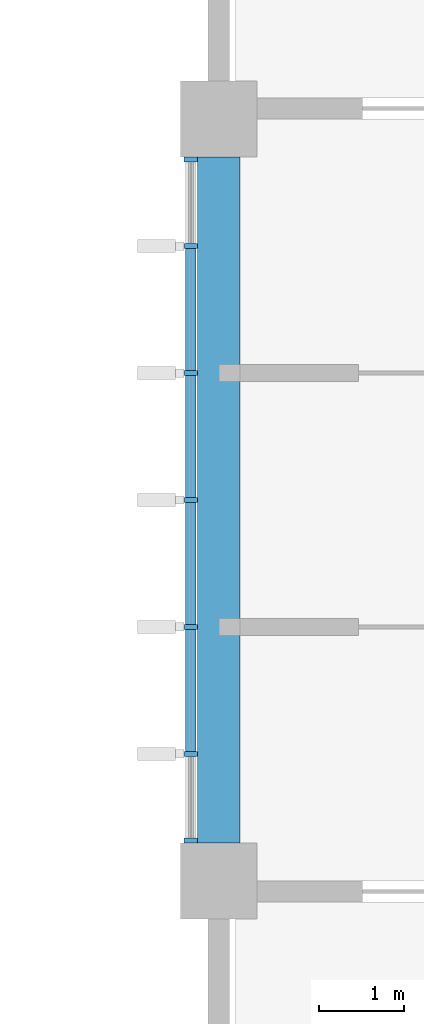
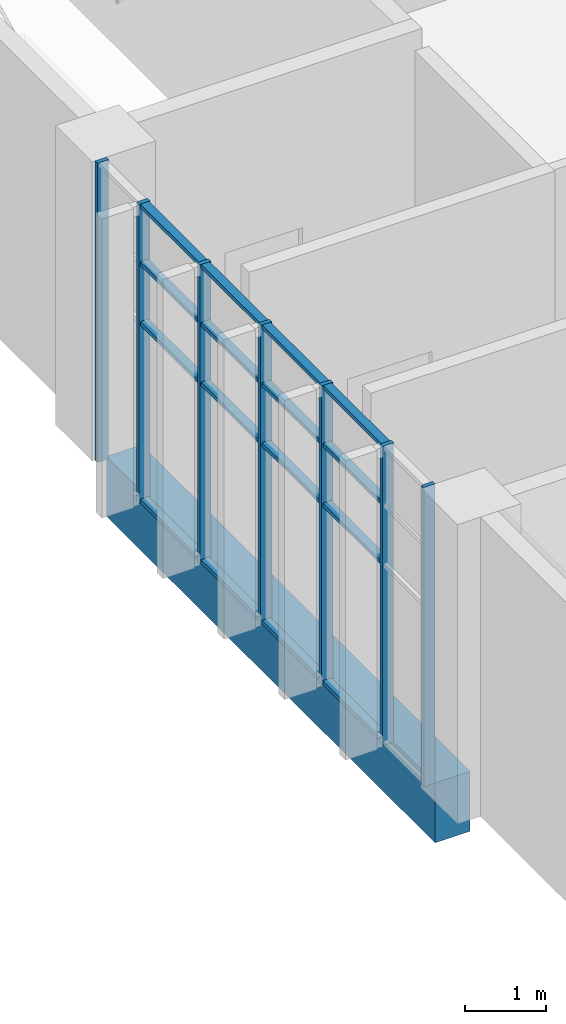
# One storey, part 8 of 45: 23 members, 1 beam, 1 element without a shape of its own.
"""IFC4 building model written with IfcOpenShell, lengths in metres."""

from ifc_helpers import new_model, si_unit, direction, frame, origin, origin_2d, place, context, subcontext, project, spatial, rectangle, extrude, material, layer, layer_set, material_profile, profile_set, type_object, element, aggregate, save


model = new_model("IFC4")

# Units and contexts
model_context = context("Model", 3, precision=1e-05, world=origin(), true_north=direction((0.0, 1.0)))
body_context = subcontext(model_context, "Body", "Model", "MODEL_VIEW")
ifc_project = project(units=[si_unit("LENGTHUNIT", "METRE"), si_unit("AREAUNIT", "SQUARE_METRE"), si_unit("VOLUMEUNIT", "CUBIC_METRE"), si_unit("PLANEANGLEUNIT", "RADIAN"), si_unit("MASSUNIT", "GRAM", prefix="KILO")], contexts=[model_context])

# Site, building, storey
site_placement = place(None, origin())
site = spatial("IfcSite", under=ifc_project, at=site_placement, CompositionType="ELEMENT")
building_placement = place(site_placement, origin())
building = spatial("IfcBuilding", under=site, at=building_placement, Name="Guidao Yard Department Store", CompositionType="ELEMENT")
storey_placement = place(building_placement, frame((0.0, 0.0, 19.5)))
storey = spatial("IfcBuildingStorey", under=building, at=storey_placement, Name="L04", CompositionType="ELEMENT", Elevation=19.5)

# Curtain wall, members
ifc_material_1 = material(Name="Aluminium and glass", Category="aluminium")
ifc_layer = layer(ifc_material_1, 0.159912109375)
ifc_layer_set = layer_set([ifc_layer], Name="Unitised curtain wall CW4 1500 module")
curtain_wall_type = type_object("IfcCurtainWallType", Name="Unitised curtain wall CW4 1500 module", PredefinedType="NOTDEFINED", material=ifc_layer_set)
curtain_wall_placement = place(storey_placement, origin())
curtain_wall = element("IfcCurtainWall", 1, at=curtain_wall_placement, inside=storey, type_object=curtain_wall_type, Name="Unitised curtain wall", PredefinedType="NOTDEFINED")
ifc_material_2 = material(Name="Aluminium 6063-T5", Category="aluminium")
ifc_material_profile_1 = material_profile(ifc_material_2, rectangle(XDim=0.06005859375, YDim=0.159912109375, at=origin_2d()), Name="Mullion M1 60 x 160 aluminium pressure plate")
ifc_profile_set_1 = profile_set([ifc_material_profile_1], Name="Aluminium 6063-T5")
member_type_1 = type_object("IfcMemberType", Name="Mullion M1 60 x 160 aluminium pressure plate", PredefinedType="MULLION", material=ifc_profile_set_1)
member_1_placement = place(storey_placement, frame((125.669921875, 9.47998046875, 0.0), z_axis=(0.0, 0.0, 1.0), x_axis=(0.0, 1.0, 0.0)))
member_1 = element("IfcMember", 2, at=member_1_placement, type_object=member_type_1, Name="CW-OW-L04-05 mullion 1", PredefinedType="MULLION", context=body_context, shape_type="SweptSolid", body=[
    extrude(rectangle(XDim=0.06005859375, YDim=0.159912109375, at=origin_2d()), origin(), (0.0, 0.0, 1.0), 4.5),
])
member_2_placement = place(storey_placement, frame((125.669921875, 10.5, 0.0), z_axis=(0.0, 0.0, 1.0), x_axis=(0.0, 1.0, 0.0)))
member_2 = element("IfcMember", 3, at=member_2_placement, type_object=member_type_1, Name="CW-OW-L04-05 mullion 2", PredefinedType="MULLION", context=body_context, shape_type="SweptSolid", body=[
    extrude(rectangle(XDim=0.06005859375, YDim=0.159912109375, at=origin_2d()), origin(), (0.0, 0.0, 1.0), 4.5),
])
member_3_placement = place(storey_placement, frame((125.669921875, 12.0, 0.0), z_axis=(0.0, 0.0, 1.0), x_axis=(0.0, 1.0, 0.0)))
member_3 = element("IfcMember", 4, at=member_3_placement, type_object=member_type_1, Name="CW-OW-L04-05 mullion 3", PredefinedType="MULLION", context=body_context, shape_type="SweptSolid", body=[
    extrude(rectangle(XDim=0.06005859375, YDim=0.159912109375, at=origin_2d()), origin(), (0.0, 0.0, 1.0), 4.5),
])
member_4_placement = place(storey_placement, frame((125.669921875, 13.5, 0.0), z_axis=(0.0, 0.0, 1.0), x_axis=(0.0, 1.0, 0.0)))
member_4 = element("IfcMember", 5, at=member_4_placement, type_object=member_type_1, Name="CW-OW-L04-05 mullion 4", PredefinedType="MULLION", context=body_context, shape_type="SweptSolid", body=[
    extrude(rectangle(XDim=0.06005859375, YDim=0.159912109375, at=origin_2d()), origin(), (0.0, 0.0, 1.0), 4.5),
])
member_5_placement = place(storey_placement, frame((125.669921875, 15.0, 0.0), z_axis=(0.0, 0.0, 1.0), x_axis=(0.0, 1.0, 0.0)))
member_5 = element("IfcMember", 6, at=member_5_placement, type_object=member_type_1, Name="CW-OW-L04-05 mullion 5", PredefinedType="MULLION", context=body_context, shape_type="SweptSolid", body=[
    extrude(rectangle(XDim=0.06005859375, YDim=0.159912109375, at=origin_2d()), origin(), (0.0, 0.0, 1.0), 4.5),
])
member_6_placement = place(storey_placement, frame((125.669921875, 16.5, 0.0), z_axis=(0.0, 0.0, 1.0), x_axis=(0.0, 1.0, 0.0)))
member_6 = element("IfcMember", 7, at=member_6_placement, type_object=member_type_1, Name="CW-OW-L04-05 mullion 6", PredefinedType="MULLION", context=body_context, shape_type="SweptSolid", body=[
    extrude(rectangle(XDim=0.06005859375, YDim=0.159912109375, at=origin_2d()), origin(), (0.0, 0.0, 1.0), 4.5),
])
member_7_placement = place(storey_placement, frame((125.669921875, 17.52001953125, 0.0), z_axis=(0.0, 0.0, 1.0), x_axis=(0.0, 1.0, 0.0)))
member_7 = element("IfcMember", 8, at=member_7_placement, type_object=member_type_1, Name="CW-OW-L04-05 mullion 7", PredefinedType="MULLION", context=body_context, shape_type="SweptSolid", body=[
    extrude(rectangle(XDim=0.06005859375, YDim=0.159912109375, at=origin_2d()), origin(), (0.0, 0.0, 1.0), 4.5),
])

# Beam
ifc_material_3 = material(Name="Concrete C40", Category="concrete")
ifc_material_profile_2 = material_profile(ifc_material_3, rectangle(XDim=0.5, YDim=0.89990234375, at=origin_2d()), Name="Spandrel beam 500 x 900 C40")
ifc_profile_set_2 = profile_set([ifc_material_profile_2], Name="Concrete C40")
beam_type = type_object("IfcBeamType", Name="Spandrel beam 500 x 900 C40", PredefinedType="SPANDREL", material=ifc_profile_set_2)
beam_placement = place(storey_placement, frame((126.0, 9.449951171875, -0.449951171875), z_axis=(0.0, 1.0, 0.0), x_axis=(-1.0, 0.0, 0.0)))
element("IfcBeam", 9, at=beam_placement, inside=storey, type_object=beam_type, Name="Beam FB04", PredefinedType="SPANDREL", context=body_context, shape_type="SweptSolid", body=[
    extrude(rectangle(XDim=0.5, YDim=0.89990234375, at=origin_2d()), origin(), (0.0, 0.0, 1.0), 8.10009765625),
])

# Member
ifc_material_4 = material(Name="Aluminium 6063-T5", Category="aluminium")
ifc_material_profile_3 = material_profile(ifc_material_4, rectangle(XDim=0.1201171875, YDim=0.06005859375, at=origin_2d()), Name="Transom T1 60 x 120 aluminium pressure plate")
ifc_profile_set_3 = profile_set([ifc_material_profile_3], Name="Aluminium 6063-T5")
member_type_2 = type_object("IfcMemberType", Name="Transom T1 60 x 120 aluminium pressure plate", PredefinedType="USERDEFINED", material=ifc_profile_set_3)
member_8_placement = place(storey_placement, frame((125.669921875, 10.530029296875, 0.030029296875), z_axis=(0.0, 1.0, 0.0), x_axis=(-1.0, 0.0, 0.0)))
member_8 = element("IfcMember", 10, at=member_8_placement, type_object=member_type_2, Name="CW-OW-L04-05 transom 2.1", ObjectType="TRANSOM", PredefinedType="USERDEFINED", context=body_context, shape_type="SweptSolid", body=[
    extrude(rectangle(XDim=0.1201171875, YDim=0.06005859375, at=origin_2d()), origin(), (0.0, 0.0, 1.0), 1.43994140625),
])

member_9_placement = place(storey_placement, frame((125.669921875, 10.530029296875, 2.699951171875), z_axis=(0.0, 1.0, 0.0), x_axis=(-1.0, 0.0, 0.0)))
member_9 = element("IfcMember", 11, at=member_9_placement, type_object=member_type_2, Name="CW-OW-L04-05 transom 2.2", ObjectType="TRANSOM", PredefinedType="USERDEFINED", context=body_context, shape_type="SweptSolid", body=[
    extrude(rectangle(XDim=0.1201171875, YDim=0.06005859375, at=origin_2d()), origin(), (0.0, 0.0, 1.0), 1.43994140625),
])

member_10_placement = place(storey_placement, frame((125.669921875, 10.530029296875, 3.60009765625), z_axis=(0.0, 1.0, 0.0), x_axis=(-1.0, 0.0, 0.0)))
member_10 = element("IfcMember", 12, at=member_10_placement, type_object=member_type_2, Name="CW-OW-L04-05 transom 2.3", ObjectType="TRANSOM", PredefinedType="USERDEFINED", context=body_context, shape_type="SweptSolid", body=[
    extrude(rectangle(XDim=0.1201171875, YDim=0.06005859375, at=origin_2d()), origin(), (0.0, 0.0, 1.0), 1.43994140625),
])

member_11_placement = place(storey_placement, frame((125.669921875, 10.530029296875, 4.469970703125), z_axis=(0.0, 1.0, 0.0), x_axis=(-1.0, 0.0, 0.0)))
member_11 = element("IfcMember", 13, at=member_11_placement, type_object=member_type_2, Name="CW-OW-L04-05 transom 2.4", ObjectType="TRANSOM", PredefinedType="USERDEFINED", context=body_context, shape_type="SweptSolid", body=[
    extrude(rectangle(XDim=0.1201171875, YDim=0.06005859375, at=origin_2d()), origin(), (0.0, 0.0, 1.0), 1.43994140625),
])

member_12_placement = place(storey_placement, frame((125.669921875, 12.030029296875, 0.030029296875), z_axis=(0.0, 1.0, 0.0), x_axis=(-1.0, 0.0, 0.0)))
member_12 = element("IfcMember", 14, at=member_12_placement, type_object=member_type_2, Name="CW-OW-L04-05 transom 3.1", ObjectType="TRANSOM", PredefinedType="USERDEFINED", context=body_context, shape_type="SweptSolid", body=[
    extrude(rectangle(XDim=0.1201171875, YDim=0.06005859375, at=origin_2d()), origin(), (0.0, 0.0, 1.0), 1.43994140625),
])

member_13_placement = place(storey_placement, frame((125.669921875, 12.030029296875, 2.699951171875), z_axis=(0.0, 1.0, 0.0), x_axis=(-1.0, 0.0, 0.0)))
member_13 = element("IfcMember", 15, at=member_13_placement, type_object=member_type_2, Name="CW-OW-L04-05 transom 3.2", ObjectType="TRANSOM", PredefinedType="USERDEFINED", context=body_context, shape_type="SweptSolid", body=[
    extrude(rectangle(XDim=0.1201171875, YDim=0.06005859375, at=origin_2d()), origin(), (0.0, 0.0, 1.0), 1.43994140625),
])

member_14_placement = place(storey_placement, frame((125.669921875, 12.030029296875, 3.60009765625), z_axis=(0.0, 1.0, 0.0), x_axis=(-1.0, 0.0, 0.0)))
member_14 = element("IfcMember", 16, at=member_14_placement, type_object=member_type_2, Name="CW-OW-L04-05 transom 3.3", ObjectType="TRANSOM", PredefinedType="USERDEFINED", context=body_context, shape_type="SweptSolid", body=[
    extrude(rectangle(XDim=0.1201171875, YDim=0.06005859375, at=origin_2d()), origin(), (0.0, 0.0, 1.0), 1.43994140625),
])

member_15_placement = place(storey_placement, frame((125.669921875, 12.030029296875, 4.469970703125), z_axis=(0.0, 1.0, 0.0), x_axis=(-1.0, 0.0, 0.0)))
member_15 = element("IfcMember", 17, at=member_15_placement, type_object=member_type_2, Name="CW-OW-L04-05 transom 3.4", ObjectType="TRANSOM", PredefinedType="USERDEFINED", context=body_context, shape_type="SweptSolid", body=[
    extrude(rectangle(XDim=0.1201171875, YDim=0.06005859375, at=origin_2d()), origin(), (0.0, 0.0, 1.0), 1.43994140625),
])

member_16_placement = place(storey_placement, frame((125.669921875, 13.530029296875, 0.030029296875), z_axis=(0.0, 1.0, 0.0), x_axis=(-1.0, 0.0, 0.0)))
member_16 = element("IfcMember", 18, at=member_16_placement, type_object=member_type_2, Name="CW-OW-L04-05 transom 4.1", ObjectType="TRANSOM", PredefinedType="USERDEFINED", context=body_context, shape_type="SweptSolid", body=[
    extrude(rectangle(XDim=0.1201171875, YDim=0.06005859375, at=origin_2d()), origin(), (0.0, 0.0, 1.0), 1.43994140625),
])

member_17_placement = place(storey_placement, frame((125.669921875, 13.530029296875, 2.699951171875), z_axis=(0.0, 1.0, 0.0), x_axis=(-1.0, 0.0, 0.0)))
member_17 = element("IfcMember", 19, at=member_17_placement, type_object=member_type_2, Name="CW-OW-L04-05 transom 4.2", ObjectType="TRANSOM", PredefinedType="USERDEFINED", context=body_context, shape_type="SweptSolid", body=[
    extrude(rectangle(XDim=0.1201171875, YDim=0.06005859375, at=origin_2d()), origin(), (0.0, 0.0, 1.0), 1.43994140625),
])

member_18_placement = place(storey_placement, frame((125.669921875, 13.530029296875, 3.60009765625), z_axis=(0.0, 1.0, 0.0), x_axis=(-1.0, 0.0, 0.0)))
member_18 = element("IfcMember", 20, at=member_18_placement, type_object=member_type_2, Name="CW-OW-L04-05 transom 4.3", ObjectType="TRANSOM", PredefinedType="USERDEFINED", context=body_context, shape_type="SweptSolid", body=[
    extrude(rectangle(XDim=0.1201171875, YDim=0.06005859375, at=origin_2d()), origin(), (0.0, 0.0, 1.0), 1.43994140625),
])

member_19_placement = place(storey_placement, frame((125.669921875, 13.530029296875, 4.469970703125), z_axis=(0.0, 1.0, 0.0), x_axis=(-1.0, 0.0, 0.0)))
member_19 = element("IfcMember", 21, at=member_19_placement, type_object=member_type_2, Name="CW-OW-L04-05 transom 4.4", ObjectType="TRANSOM", PredefinedType="USERDEFINED", context=body_context, shape_type="SweptSolid", body=[
    extrude(rectangle(XDim=0.1201171875, YDim=0.06005859375, at=origin_2d()), origin(), (0.0, 0.0, 1.0), 1.43994140625),
])

member_20_placement = place(storey_placement, frame((125.669921875, 15.030029296875, 0.030029296875), z_axis=(0.0, 1.0, 0.0), x_axis=(-1.0, 0.0, 0.0)))
member_20 = element("IfcMember", 22, at=member_20_placement, type_object=member_type_2, Name="CW-OW-L04-05 transom 5.1", ObjectType="TRANSOM", PredefinedType="USERDEFINED", context=body_context, shape_type="SweptSolid", body=[
    extrude(rectangle(XDim=0.1201171875, YDim=0.06005859375, at=origin_2d()), origin(), (0.0, 0.0, 1.0), 1.43994140625),
])

member_21_placement = place(storey_placement, frame((125.669921875, 15.030029296875, 2.699951171875), z_axis=(0.0, 1.0, 0.0), x_axis=(-1.0, 0.0, 0.0)))
member_21 = element("IfcMember", 23, at=member_21_placement, type_object=member_type_2, Name="CW-OW-L04-05 transom 5.2", ObjectType="TRANSOM", PredefinedType="USERDEFINED", context=body_context, shape_type="SweptSolid", body=[
    extrude(rectangle(XDim=0.1201171875, YDim=0.06005859375, at=origin_2d()), origin(), (0.0, 0.0, 1.0), 1.43994140625),
])

member_22_placement = place(storey_placement, frame((125.669921875, 15.030029296875, 3.60009765625), z_axis=(0.0, 1.0, 0.0), x_axis=(-1.0, 0.0, 0.0)))
member_22 = element("IfcMember", 24, at=member_22_placement, type_object=member_type_2, Name="CW-OW-L04-05 transom 5.3", ObjectType="TRANSOM", PredefinedType="USERDEFINED", context=body_context, shape_type="SweptSolid", body=[
    extrude(rectangle(XDim=0.1201171875, YDim=0.06005859375, at=origin_2d()), origin(), (0.0, 0.0, 1.0), 1.43994140625),
])

member_23_placement = place(storey_placement, frame((125.669921875, 15.030029296875, 4.469970703125), z_axis=(0.0, 1.0, 0.0), x_axis=(-1.0, 0.0, 0.0)))
member_23 = element("IfcMember", 25, at=member_23_placement, type_object=member_type_2, Name="CW-OW-L04-05 transom 5.4", ObjectType="TRANSOM", PredefinedType="USERDEFINED", context=body_context, shape_type="SweptSolid", body=[
    extrude(rectangle(XDim=0.1201171875, YDim=0.06005859375, at=origin_2d()), origin(), (0.0, 0.0, 1.0), 1.43994140625),
])

aggregate(curtain_wall, [member_1, member_2, member_3, member_4, member_5, member_6, member_7, member_8, member_9, member_10, member_11, member_12, member_13, member_14, member_15, member_16, member_17, member_18, member_19, member_20, member_21, member_22, member_23])

save(model, "model.ifc")
